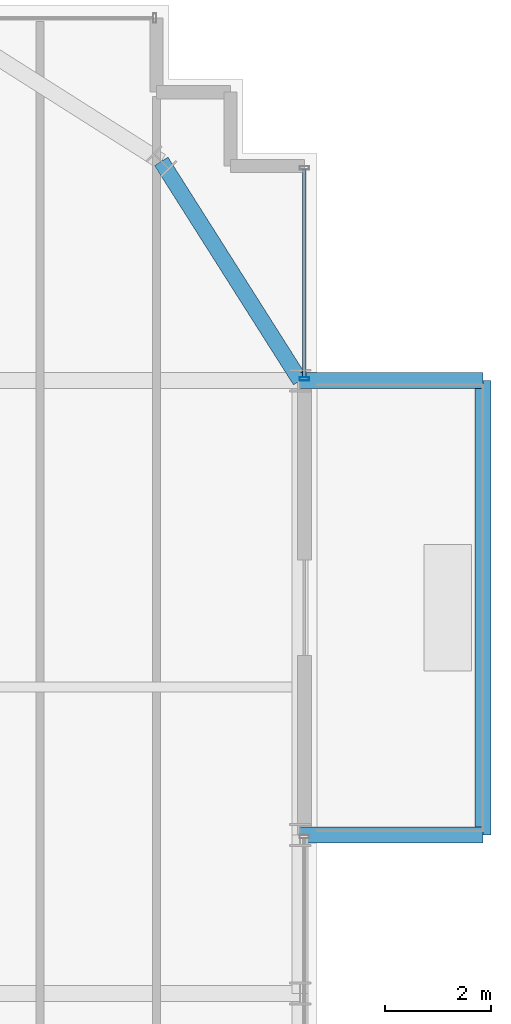
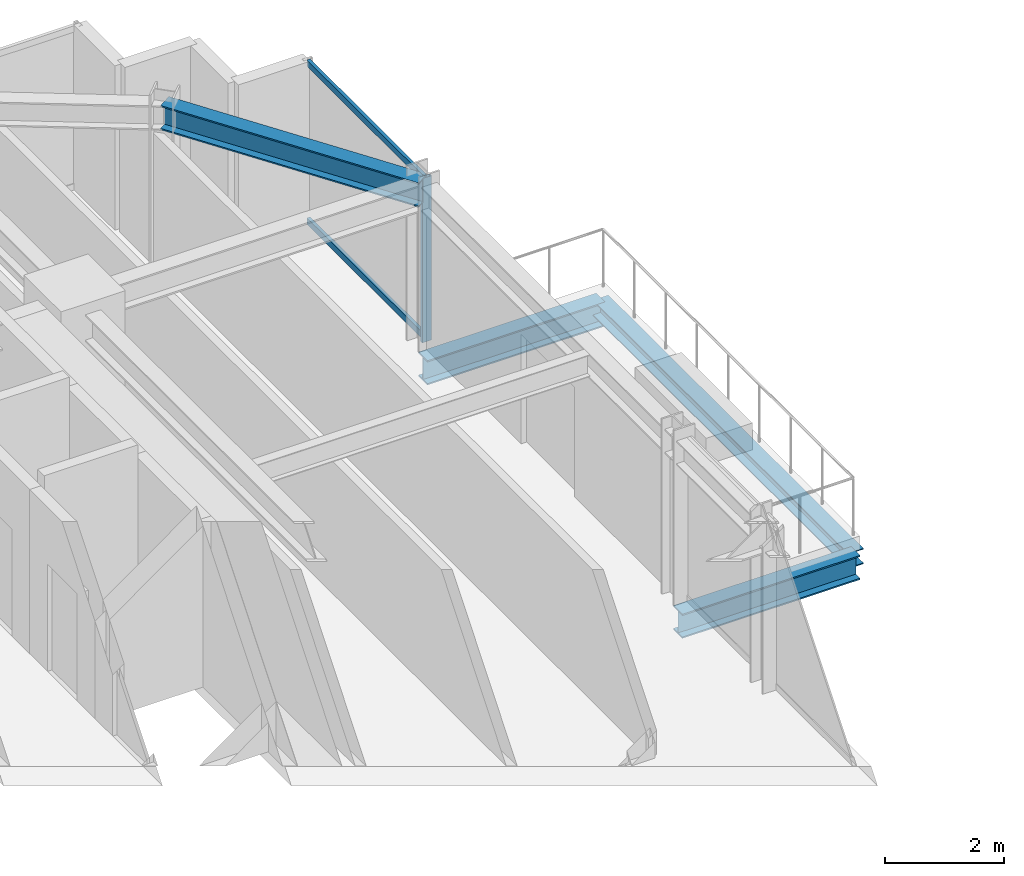
# One storey, part 24 of 33: 4 beams, 3 members, 1 element without a shape of its own.
"""IFC4 building model written with IfcOpenShell, lengths in metres."""

from ifc_helpers import new_model, si_unit, direction, frame, origin, origin_2d, place, context, subcontext, project, spatial, hollow_rectangle, i_section, extrude, source, transform, mapped, material, material_profile, profile_set, type_object, element, aggregate, save


model = new_model("IFC4")

# Units and contexts
model_context = context("Model", 3, precision=1e-05, world=origin(), true_north=direction((0.0, 1.0)))
body_context = subcontext(model_context, "Body", "Model", "MODEL_VIEW")
ifc_project = project(units=[si_unit("LENGTHUNIT", "METRE"), si_unit("AREAUNIT", "SQUARE_METRE"), si_unit("VOLUMEUNIT", "CUBIC_METRE"), si_unit("PLANEANGLEUNIT", "RADIAN"), si_unit("MASSUNIT", "GRAM", prefix="KILO")], contexts=[model_context])

# Site, building, storey
site_placement = place(None, origin())
site = spatial("IfcSite", under=ifc_project, at=site_placement, CompositionType="ELEMENT")
building_placement = place(site_placement, origin())
building = spatial("IfcBuilding", under=site, at=building_placement, Name="Nahalor Promenade Grand Hotel", CompositionType="ELEMENT")
storey_placement = place(building_placement, frame((0.0, 0.0, 132.10009765625)))
storey = spatial("IfcBuildingStorey", under=building, at=storey_placement, Name="L33", CompositionType="ELEMENT", Elevation=132.10009765625)

# Beams
ifc_material_1 = material(Name="Steel S355JR", Category="steel")
ifc_material_profile_1 = material_profile(ifc_material_1, i_section(OverallWidth=0.3, OverallDepth=0.32, WebThickness=0.0115, FlangeThickness=0.0205, at=origin_2d()), Name="HEB 320")
ifc_profile_set_1 = profile_set([ifc_material_profile_1], Name="Steel S355JR")
beam_type_1 = type_object("IfcBeamType", Name="Beam-BalcEdge-HEB320", PredefinedType="SPANDREL", material=ifc_profile_set_1)
shared_shape_1 = source(origin(), body_context, "Body", "SweptSolid", [
    extrude(i_section(OverallWidth=0.3, OverallDepth=0.32, WebThickness=0.0115, FlangeThickness=0.0205, at=origin_2d()), origin(), (0.0, 0.0, 1.0), 8.60009765625),
])
beam_1_placement = place(storey_placement, frame((27.239990234375, 8.39990234375, -0.440185546875), z_axis=(0.0, 1.0, 0.0), x_axis=(-1.0, 0.0, 0.0)))
element("IfcBeam", 1, at=beam_1_placement, inside=storey, type_object=beam_type_1, Name="BM-L33-BC-02-F", PredefinedType="SPANDREL", context=body_context, shape_type="MappedRepresentation", body=[
    mapped(shared_shape_1, transform((0.0, 0.0, 0.0), scale=1.0)),
])
ifc_material_profile_2 = material_profile(ifc_material_1, i_section(OverallWidth=0.3, OverallDepth=0.5, WebThickness=0.0145, FlangeThickness=0.028, at=origin_2d()), Name="HEB 500")
ifc_profile_set_2 = profile_set([ifc_material_profile_2], Name="Steel S355JR")
beam_type_2 = type_object("IfcBeamType", Name="Beam-Outrigger-HEB500", PredefinedType="BEAM", material=ifc_profile_set_2)
shared_shape_2 = source(origin(), body_context, "Body", "SweptSolid", [
    extrude(i_section(OverallWidth=0.3, OverallDepth=0.5, WebThickness=0.0145, FlangeThickness=0.028, at=origin_2d()), origin(), (0.0, 0.0, 1.0), 3.4599609375),
])
for number, where, z_axis, x_axis, name in (
    (2, (23.780029296875, 8.39990234375, -0.530029296875), (1.0, 0.0, 0.0), (0.0, 1.0, 0.0), "BM-L33-BC-02-1"),
    (3, (23.780029296875, 17.0, -0.530029296875), (1.0, 0.0, 0.0), (0.0, 1.0, 0.0), "BM-L33-BC-02-2"),
):
    element("IfcBeam", number, at=place(storey_placement, frame(where, z_axis=z_axis, x_axis=x_axis)), inside=storey, type_object=beam_type_2, Name=name, PredefinedType="BEAM", context=body_context, shape_type="MappedRepresentation", body=[
        mapped(shared_shape_2, transform((0.0, 0.0, 0.0), scale=1.0)),
    ])
ifc_material_profile_3 = material_profile(ifc_material_1, i_section(OverallWidth=0.3, OverallDepth=0.5, WebThickness=0.0145, FlangeThickness=0.028, at=origin_2d()), Name="HEB 500")
ifc_profile_set_3 = profile_set([ifc_material_profile_3], Name="Steel S355JR")
beam_type_3 = type_object("IfcBeamType", Name="Beam-Spandrel-HEB500", PredefinedType="SPANDREL", material=ifc_profile_set_3)
shared_shape_3 = source(origin(), body_context, "Body", "SweptSolid", [
    extrude(i_section(OverallWidth=0.3, OverallDepth=0.5, WebThickness=0.0145, FlangeThickness=0.028, at=origin_2d()), origin(), (0.0, 0.0, 1.0), 4.9130859375),
])
beam_2_placement = place(storey_placement, frame((21.14990234375, 21.14990234375, 3.1298828125), z_axis=(0.535321591403, -0.844648325505, 0.0), x_axis=(0.844648325505, 0.535321591403, 0.0)))
element("IfcBeam", 4, at=beam_2_placement, inside=storey, type_object=beam_type_3, Name="BM-L33-SPC-NE-2", PredefinedType="SPANDREL", context=body_context, shape_type="MappedRepresentation", body=[
    mapped(shared_shape_3, transform((0.0, 0.0, 0.0), scale=1.0)),
])

# Curtain wall, members
ifc_material_2 = material(Name="Anodised Bronze Aluminium EN AW-6063 T6", Category="aluminium")
curtain_wall_type = type_object("IfcCurtainWallType", Name="CW2 Typical Hotel Flush Bronze Unitised Curtain Wall", PredefinedType="USERDEFINED", material=ifc_material_2)
curtain_wall_placement = place(storey_placement, origin())
curtain_wall = element("IfcCurtainWall", 5, at=curtain_wall_placement, inside=storey, type_object=curtain_wall_type, Name="L33 Curtain Wall CW-L33-E-3", ObjectType="UNITISED_CURTAIN_WALL", PredefinedType="USERDEFINED")
ifc_material_profile_4 = material_profile(ifc_material_2, hollow_rectangle(XDim=0.065, YDim=0.18, WallThickness=0.004, at=origin_2d()), Name="CWM 65x180x4")
ifc_profile_set_4 = profile_set([ifc_material_profile_4], Name="Anodised Bronze Aluminium EN AW-6063 T6")
member_type_1 = type_object("IfcMemberType", Name="CWM2 Typical Bronze Mullion 65x180", PredefinedType="MULLION", material=ifc_profile_set_4)
shared_shape_4 = source(origin(), body_context, "Body", "SweptSolid", [
    extrude(hollow_rectangle(XDim=0.065, YDim=0.18, WallThickness=0.004, at=origin_2d()), origin(), (0.0, 0.0, 1.0), 3.3798828125),
])
member_1_placement = place(storey_placement, frame((23.860107421875, 17.032470703125, 0.0), z_axis=(0.0, 0.0, 1.0), x_axis=(0.0, 1.0, 0.0)))
member_1 = element("IfcMember", 6, at=member_1_placement, type_object=member_type_1, Name="CW-L33-E-3 Mullion 0", PredefinedType="MULLION", context=body_context, shape_type="MappedRepresentation", body=[
    mapped(shared_shape_4, transform((0.0, 0.0, 0.0), scale=1.0)),
])
ifc_material_profile_5 = material_profile(ifc_material_2, hollow_rectangle(XDim=0.065, YDim=0.13, WallThickness=0.004, at=origin_2d()), Name="CWT 65x130x4")
ifc_profile_set_5 = profile_set([ifc_material_profile_5], Name="Anodised Bronze Aluminium EN AW-6063 T6")
member_type_2 = type_object("IfcMemberType", Name="CWT2 Typical Bronze Transom 65x130", PredefinedType="USERDEFINED", material=ifc_profile_set_5)
shared_shape_5 = source(origin(), body_context, "Body", "SweptSolid", [
    extrude(hollow_rectangle(XDim=0.065, YDim=0.13, WallThickness=0.004, at=origin_2d()), origin(), (0.0, 0.0, 1.0), 3.93017578125),
])
member_2_placement = place(storey_placement, frame((23.860107421875, 17.06494140625, 0.06494140625), z_axis=(0.0, 1.0, 0.0), x_axis=(-1.0, 0.0, 0.0)))
member_2 = element("IfcMember", 7, at=member_2_placement, type_object=member_type_2, Name="CW-L33-E-3 Transom 0-0", ObjectType="TRANSOM", PredefinedType="USERDEFINED", context=body_context, shape_type="MappedRepresentation", body=[
    mapped(shared_shape_5, transform((0.0, 0.0, 0.0), scale=1.0)),
])
member_3_placement = place(storey_placement, frame((23.860107421875, 17.06494140625, 3.31494140625), z_axis=(0.0, 1.0, 0.0), x_axis=(-1.0, 0.0, 0.0)))
member_3 = element("IfcMember", 8, at=member_3_placement, type_object=member_type_2, Name="CW-L33-E-3 Transom 0-1", ObjectType="TRANSOM", PredefinedType="USERDEFINED", context=body_context, shape_type="MappedRepresentation", body=[
    mapped(shared_shape_5, transform((0.0, 0.0, 0.0), scale=1.0)),
])
aggregate(curtain_wall, [member_1, member_2, member_3])

save(model, "model.ifc")
